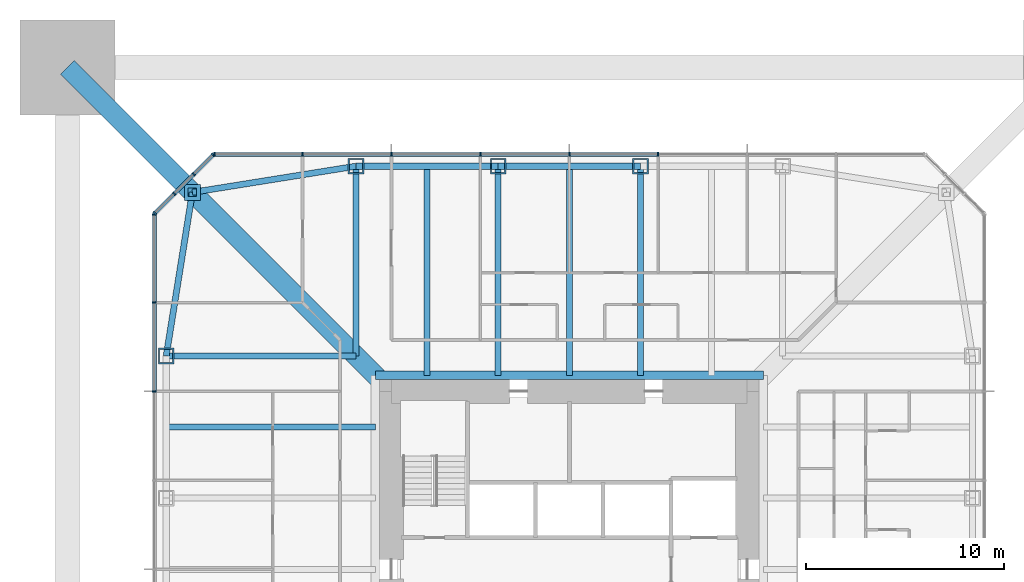
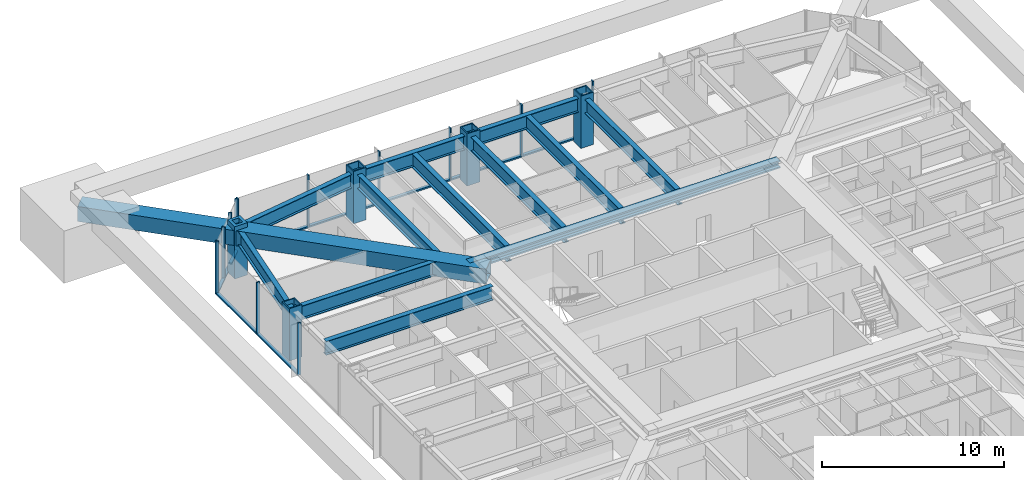
# One storey, part 9 of 20: 30 members, 12 beams, 3 elements without a shape of their own.
"""IFC4 building model written with IfcOpenShell, lengths in metres."""

from ifc_helpers import new_model, si_unit, direction, frame, origin, origin_2d, place, context, subcontext, project, spatial, rectangle, hollow_rectangle, i_section, extrude, material, material_profile, profile_set, type_object, element, aggregate, save


model = new_model("IFC4")

# Units and contexts
model_context = context("Model", 3, precision=1e-05, world=origin(), true_north=direction((0.0, 1.0)))
body_context = subcontext(model_context, "Body", "Model", "MODEL_VIEW")
ifc_project = project(units=[si_unit("LENGTHUNIT", "METRE"), si_unit("AREAUNIT", "SQUARE_METRE"), si_unit("VOLUMEUNIT", "CUBIC_METRE"), si_unit("PLANEANGLEUNIT", "RADIAN"), si_unit("MASSUNIT", "GRAM", prefix="KILO")], contexts=[model_context])

# Site, building, storey
site_placement = place(None, origin())
site = spatial("IfcSite", under=ifc_project, at=site_placement, CompositionType="ELEMENT")
building_placement = place(site_placement, origin())
building = spatial("IfcBuilding", under=site, at=building_placement, Name="Iwan Alto Co-Living Towers", CompositionType="ELEMENT")
storey_placement = place(building_placement, frame((0.0, 0.0, 140.0)))
storey = spatial("IfcBuildingStorey", under=building, at=storey_placement, Name="L38", CompositionType="ELEMENT", Elevation=140.0)

# Curtain wall, members
ifc_material_1 = material(Name="Bronze aluminium unitised frame", Category="aluminium")
curtain_wall_type_1 = type_object("IfcCurtainWallType", Name="CURTAIN WALL CW-A", PredefinedType="NOTDEFINED", material=ifc_material_1)
curtain_wall_1_placement = place(storey_placement, origin())
curtain_wall_1 = element("IfcCurtainWall", 1, at=curtain_wall_1_placement, inside=storey, type_object=curtain_wall_type_1, Name="T1 curtain wall N L38", PredefinedType="NOTDEFINED")
ifc_material_2 = material(Name="Aluminium 6063-T6 bronze anodised", Category="aluminium")
ifc_material_profile_1 = material_profile(ifc_material_2, rectangle(XDim=0.199951171875, YDim=0.080078125, at=origin_2d()), Name="AL 80X200")
ifc_profile_set_1 = profile_set([ifc_material_profile_1], Name="Aluminium 6063-T6 bronze anodised")
member_type_1 = type_object("IfcMemberType", Name="CW-A MULLION 80X200", PredefinedType="MULLION", material=ifc_profile_set_1)
member_1_placement = place(storey_placement, frame((4.5, 21.0, 0.0), z_axis=(0.0, 0.0, 1.0), x_axis=(0.0, -1.0, 0.0)))
member_1 = element("IfcMember", 2, at=member_1_placement, type_object=member_type_1, Name="CW-A mullion 4", PredefinedType="MULLION", context=body_context, shape_type="SweptSolid", body=[
    extrude(rectangle(XDim=0.199951171875, YDim=0.080078125, at=origin_2d()), origin(), (0.0, 0.0, 1.0), 3.5),
])
member_2_placement = place(storey_placement, frame((0.0, 21.0, 0.0), z_axis=(0.0, 0.0, 1.0), x_axis=(0.0, -1.0, 0.0)))
member_2 = element("IfcMember", 3, at=member_2_placement, type_object=member_type_1, Name="CW-A mullion 5", PredefinedType="MULLION", context=body_context, shape_type="SweptSolid", body=[
    extrude(rectangle(XDim=0.199951171875, YDim=0.080078125, at=origin_2d()), origin(), (0.0, 0.0, 1.0), 3.5),
])
member_3_placement = place(storey_placement, frame((-4.5, 21.0, 0.0), z_axis=(0.0, 0.0, 1.0), x_axis=(0.0, -1.0, 0.0)))
member_3 = element("IfcMember", 4, at=member_3_placement, type_object=member_type_1, Name="CW-A mullion 6", PredefinedType="MULLION", context=body_context, shape_type="SweptSolid", body=[
    extrude(rectangle(XDim=0.199951171875, YDim=0.080078125, at=origin_2d()), origin(), (0.0, 0.0, 1.0), 3.5),
])
member_4_placement = place(storey_placement, frame((-9.0, 21.0, 0.0), z_axis=(0.0, 0.0, 1.0), x_axis=(0.0, -1.0, 0.0)))
member_4 = element("IfcMember", 5, at=member_4_placement, type_object=member_type_1, Name="CW-A mullion 7", PredefinedType="MULLION", context=body_context, shape_type="SweptSolid", body=[
    extrude(rectangle(XDim=0.199951171875, YDim=0.080078125, at=origin_2d()), origin(), (0.0, 0.0, 1.0), 3.5),
])
member_5_placement = place(storey_placement, frame((-13.5, 21.0, 0.0), z_axis=(0.0, 0.0, 1.0), x_axis=(0.0, -1.0, 0.0)))
member_5 = element("IfcMember", 6, at=member_5_placement, type_object=member_type_1, Name="CW-A mullion 8", PredefinedType="MULLION", context=body_context, shape_type="SweptSolid", body=[
    extrude(rectangle(XDim=0.199951171875, YDim=0.080078125, at=origin_2d()), origin(), (0.0, 0.0, 1.0), 3.5),
])
member_6_placement = place(storey_placement, frame((-17.9599609375, 21.0, 0.0), z_axis=(0.0, 0.0, 1.0), x_axis=(0.0, -1.0, 0.0)))
member_6 = element("IfcMember", 7, at=member_6_placement, type_object=member_type_1, Name="CW-A mullion 9", PredefinedType="MULLION", context=body_context, shape_type="SweptSolid", body=[
    extrude(rectangle(XDim=0.199951171875, YDim=0.080078125, at=origin_2d()), origin(), (0.0, 0.0, 1.0), 3.5),
])

curtain_wall_2_placement = place(storey_placement, origin())
curtain_wall_2 = element("IfcCurtainWall", 8, at=curtain_wall_2_placement, inside=storey, type_object=curtain_wall_type_1, Name="T1 curtain wall W L38", PredefinedType="NOTDEFINED")
member_7_placement = place(storey_placement, frame((-21.0, 17.9599609375, 0.0), z_axis=(0.0, 0.0, 1.0), x_axis=(1.0, 0.0, 0.0)))
member_7 = element("IfcMember", 9, at=member_7_placement, type_object=member_type_1, Name="CW-A mullion 1", PredefinedType="MULLION", context=body_context, shape_type="SweptSolid", body=[
    extrude(rectangle(XDim=0.199951171875, YDim=0.080078125, at=origin_2d()), origin(), (0.0, 0.0, 1.0), 3.5),
])
member_8_placement = place(storey_placement, frame((-21.0, 13.5, 0.0), z_axis=(0.0, 0.0, 1.0), x_axis=(1.0, 0.0, 0.0)))
member_8 = element("IfcMember", 10, at=member_8_placement, type_object=member_type_1, Name="CW-A mullion 2", PredefinedType="MULLION", context=body_context, shape_type="SweptSolid", body=[
    extrude(rectangle(XDim=0.199951171875, YDim=0.080078125, at=origin_2d()), origin(), (0.0, 0.0, 1.0), 3.5),
])
member_9_placement = place(storey_placement, frame((-21.0, 9.0, 0.0), z_axis=(0.0, 0.0, 1.0), x_axis=(1.0, 0.0, 0.0)))
member_9 = element("IfcMember", 11, at=member_9_placement, type_object=member_type_1, Name="CW-A mullion 3", PredefinedType="MULLION", context=body_context, shape_type="SweptSolid", body=[
    extrude(rectangle(XDim=0.199951171875, YDim=0.080078125, at=origin_2d()), origin(), (0.0, 0.0, 1.0), 3.5),
])

# Member
ifc_material_3 = material(Name="Aluminium 6063-T6 bronze anodised", Category="aluminium")
ifc_material_profile_2 = material_profile(ifc_material_3, rectangle(XDim=0.199951171875, YDim=0.10009765625, at=origin_2d()), Name="AL 200X100")
ifc_profile_set_2 = profile_set([ifc_material_profile_2], Name="Aluminium 6063-T6 bronze anodised")
member_type_2 = type_object("IfcMemberType", Name="CW-A TRANSOM 200X100", PredefinedType="USERDEFINED", material=ifc_profile_set_2)
member_10_placement = place(storey_placement, frame((4.4599609375, 21.0, 0.050048828125), z_axis=(-1.0, 0.0, 0.0), x_axis=(0.0, -1.0, 0.0)))
member_10 = element("IfcMember", 12, at=member_10_placement, type_object=member_type_2, Name="CW-A transom 4.1", ObjectType="TRANSOM", PredefinedType="USERDEFINED", context=body_context, shape_type="SweptSolid", body=[
    extrude(rectangle(XDim=0.199951171875, YDim=0.10009765625, at=origin_2d()), origin(), (0.0, 0.0, 1.0), 4.419921875),
])

member_11_placement = place(storey_placement, frame((-0.0400390625, 21.0, 0.050048828125), z_axis=(-1.0, 0.0, 0.0), x_axis=(0.0, -1.0, 0.0)))
member_11 = element("IfcMember", 13, at=member_11_placement, type_object=member_type_2, Name="CW-A transom 5.1", ObjectType="TRANSOM", PredefinedType="USERDEFINED", context=body_context, shape_type="SweptSolid", body=[
    extrude(rectangle(XDim=0.199951171875, YDim=0.10009765625, at=origin_2d()), origin(), (0.0, 0.0, 1.0), 4.419921875),
])

member_12_placement = place(storey_placement, frame((-4.5400390625, 21.0, 0.050048828125), z_axis=(-1.0, 0.0, 0.0), x_axis=(0.0, -1.0, 0.0)))
member_12 = element("IfcMember", 14, at=member_12_placement, type_object=member_type_2, Name="CW-A transom 6.1", ObjectType="TRANSOM", PredefinedType="USERDEFINED", context=body_context, shape_type="SweptSolid", body=[
    extrude(rectangle(XDim=0.199951171875, YDim=0.10009765625, at=origin_2d()), origin(), (0.0, 0.0, 1.0), 4.419921875),
])

member_13_placement = place(storey_placement, frame((-9.0400390625, 21.0, 0.050048828125), z_axis=(-1.0, 0.0, 0.0), x_axis=(0.0, -1.0, 0.0)))
member_13 = element("IfcMember", 15, at=member_13_placement, type_object=member_type_2, Name="CW-A transom 7.1", ObjectType="TRANSOM", PredefinedType="USERDEFINED", context=body_context, shape_type="SweptSolid", body=[
    extrude(rectangle(XDim=0.199951171875, YDim=0.10009765625, at=origin_2d()), origin(), (0.0, 0.0, 1.0), 4.419921875),
])

member_14_placement = place(storey_placement, frame((-13.5400390625, 21.0, 0.050048828125), z_axis=(-1.0, 0.0, 0.0), x_axis=(0.0, -1.0, 0.0)))
member_14 = element("IfcMember", 16, at=member_14_placement, type_object=member_type_2, Name="CW-A transom 8.1", ObjectType="TRANSOM", PredefinedType="USERDEFINED", context=body_context, shape_type="SweptSolid", body=[
    extrude(rectangle(XDim=0.199951171875, YDim=0.10009765625, at=origin_2d()), origin(), (0.0, 0.0, 1.0), 4.3798828125),
])

aggregate(curtain_wall_1, [member_1, member_2, member_3, member_4, member_5, member_6, member_10, member_11, member_12, member_13, member_14])

member_15_placement = place(storey_placement, frame((-21.0, 17.919921875, 0.050048828125), z_axis=(0.0, -1.0, 0.0), x_axis=(1.0, 0.0, 0.0)))
member_15 = element("IfcMember", 17, at=member_15_placement, type_object=member_type_2, Name="CW-A transom 1.1", ObjectType="TRANSOM", PredefinedType="USERDEFINED", context=body_context, shape_type="SweptSolid", body=[
    extrude(rectangle(XDim=0.199951171875, YDim=0.10009765625, at=origin_2d()), origin(), (0.0, 0.0, 1.0), 4.3798828125),
])

member_16_placement = place(storey_placement, frame((-21.0, 13.4599609375, 0.050048828125), z_axis=(0.0, -1.0, 0.0), x_axis=(1.0, 0.0, 0.0)))
member_16 = element("IfcMember", 18, at=member_16_placement, type_object=member_type_2, Name="CW-A transom 2.1", ObjectType="TRANSOM", PredefinedType="USERDEFINED", context=body_context, shape_type="SweptSolid", body=[
    extrude(rectangle(XDim=0.199951171875, YDim=0.10009765625, at=origin_2d()), origin(), (0.0, 0.0, 1.0), 4.419921875),
])

aggregate(curtain_wall_2, [member_7, member_8, member_9, member_15, member_16])

# Curtain wall, members
ifc_material_4 = material(Name="Bronze aluminium unitised frame", Category="aluminium")
curtain_wall_type_2 = type_object("IfcCurtainWallType", Name="CURTAIN WALL CW-B", PredefinedType="NOTDEFINED", material=ifc_material_4)
curtain_wall_3_placement = place(storey_placement, origin())
curtain_wall_3 = element("IfcCurtainWall", 19, at=curtain_wall_3_placement, inside=storey, type_object=curtain_wall_type_2, Name="T1 chamfer curtain wall NW L38", PredefinedType="NOTDEFINED")
ifc_material_5 = material(Name="Aluminium 6063-T6 bronze anodised", Category="aluminium")
ifc_material_profile_3 = material_profile(ifc_material_5, rectangle(XDim=0.199951171875, YDim=0.080078125, at=origin_2d()), Name="AL 80X200")
ifc_profile_set_3 = profile_set([ifc_material_profile_3], Name="Aluminium 6063-T6 bronze anodised")
member_type_3 = type_object("IfcMemberType", Name="CW-B MULLION 80X200", PredefinedType="MULLION", material=ifc_profile_set_3)
member_17_placement = place(storey_placement, frame((-18.0283203125, 20.9716796875, 0.0), z_axis=(0.0, 0.0, 1.0), x_axis=(0.707106781187, -0.707106781187, 0.0)))
member_17 = element("IfcMember", 20, at=member_17_placement, type_object=member_type_3, Name="CW-B mullion 1", PredefinedType="MULLION", context=body_context, shape_type="SweptSolid", body=[
    extrude(rectangle(XDim=0.199951171875, YDim=0.080078125, at=origin_2d()), origin(), (0.0, 0.0, 1.0), 3.5),
])
member_18_placement = place(storey_placement, frame((-19.0, 20.0, 0.0), z_axis=(0.0, 0.0, 1.0), x_axis=(0.707106781187, -0.707106781187, 0.0)))
member_18 = element("IfcMember", 21, at=member_18_placement, type_object=member_type_3, Name="CW-B mullion 2", PredefinedType="MULLION", context=body_context, shape_type="SweptSolid", body=[
    extrude(rectangle(XDim=0.199951171875, YDim=0.080078125, at=origin_2d()), origin(), (0.0, 0.0, 1.0), 3.5),
])
member_19_placement = place(storey_placement, frame((-20.0, 19.0, 0.0), z_axis=(0.0, 0.0, 1.0), x_axis=(0.707106781187, -0.707106781187, 0.0)))
member_19 = element("IfcMember", 22, at=member_19_placement, type_object=member_type_3, Name="CW-B mullion 3", PredefinedType="MULLION", context=body_context, shape_type="SweptSolid", body=[
    extrude(rectangle(XDim=0.199951171875, YDim=0.080078125, at=origin_2d()), origin(), (0.0, 0.0, 1.0), 3.5),
])
member_20_placement = place(storey_placement, frame((-20.9716796875, 18.0283203125, 0.0), z_axis=(0.0, 0.0, 1.0), x_axis=(0.707106781187, -0.707106781187, 0.0)))
member_20 = element("IfcMember", 23, at=member_20_placement, type_object=member_type_3, Name="CW-B mullion 4", PredefinedType="MULLION", context=body_context, shape_type="SweptSolid", body=[
    extrude(rectangle(XDim=0.199951171875, YDim=0.080078125, at=origin_2d()), origin(), (0.0, 0.0, 1.0), 3.5),
])
ifc_material_6 = material(Name="Aluminium 6063-T6 bronze anodised", Category="aluminium")
ifc_material_profile_4 = material_profile(ifc_material_6, rectangle(XDim=0.199951171875, YDim=0.10009765625, at=origin_2d()), Name="AL 200X100")
ifc_profile_set_4 = profile_set([ifc_material_profile_4], Name="Aluminium 6063-T6 bronze anodised")
member_type_4 = type_object("IfcMemberType", Name="CW-B TRANSOM 200X100", PredefinedType="USERDEFINED", material=ifc_profile_set_4)
member_21_placement = place(storey_placement, frame((-18.056640625, 20.943359375, 0.050048828125), z_axis=(-0.707106781187, -0.707106781187, 0.0), x_axis=(0.707106781187, -0.707106781187, 0.0)))
member_21 = element("IfcMember", 24, at=member_21_placement, type_object=member_type_4, Name="CW-B transom 1.1", ObjectType="TRANSOM", PredefinedType="USERDEFINED", context=body_context, shape_type="SweptSolid", body=[
    extrude(rectangle(XDim=0.199951171875, YDim=0.10009765625, at=origin_2d()), origin(), (0.0, 0.0, 1.0), 1.2939453125),
])
member_22_placement = place(storey_placement, frame((-19.0283203125, 19.9716796875, 0.050048828125), z_axis=(-0.707106781187, -0.707106781187, 0.0), x_axis=(0.707106781187, -0.707106781187, 0.0)))
member_22 = element("IfcMember", 25, at=member_22_placement, type_object=member_type_4, Name="CW-B transom 2.1", ObjectType="TRANSOM", PredefinedType="USERDEFINED", context=body_context, shape_type="SweptSolid", body=[
    extrude(rectangle(XDim=0.199951171875, YDim=0.10009765625, at=origin_2d()), origin(), (0.0, 0.0, 1.0), 1.334228515625),
])
member_23_placement = place(storey_placement, frame((-20.0283203125, 18.9716796875, 0.050048828125), z_axis=(-0.707106781187, -0.707106781187, 0.0), x_axis=(0.707106781187, -0.707106781187, 0.0)))
member_23 = element("IfcMember", 26, at=member_23_placement, type_object=member_type_4, Name="CW-B transom 3.1", ObjectType="TRANSOM", PredefinedType="USERDEFINED", context=body_context, shape_type="SweptSolid", body=[
    extrude(rectangle(XDim=0.199951171875, YDim=0.10009765625, at=origin_2d()), origin(), (0.0, 0.0, 1.0), 1.2939453125),
])
aggregate(curtain_wall_3, [member_17, member_18, member_19, member_20, member_21, member_22, member_23])

# Beams
ifc_material_7 = material(Name="Steel ASTM A992 Gr 50", Category="steel")
ifc_material_profile_5 = material_profile(ifc_material_7, i_section(OverallWidth=0.307373046875, OverallDepth=0.927001953125, WebThickness=0.01953125, FlangeThickness=0.031982421875, at=origin_2d()), Name="W36X194")
ifc_profile_set_5 = profile_set([ifc_material_profile_5], Name="Steel ASTM A992 Gr 50")
beam_type_1 = type_object("IfcBeamType", Name="T1 BELT TRUSS CHORD W36X194", PredefinedType="BEAM", material=ifc_profile_set_5)
beam_1_placement = place(storey_placement, frame((3.60009765625, 20.39990234375, 2.736328125), z_axis=(-1.0, 0.0, 0.0), x_axis=(0.0, -1.0, 0.0)))
element("IfcBeam", 27, at=beam_1_placement, inside=storey, type_object=beam_type_1, Name="T1 edge beam N2 L39", PredefinedType="BEAM", context=body_context, shape_type="SweptSolid", body=[
    extrude(i_section(OverallWidth=0.307373046875, OverallDepth=0.927001953125, WebThickness=0.01953125, FlangeThickness=0.031982421875, at=origin_2d()), origin(), (0.0, 0.0, 1.0), 7.2001953125),
])
beam_2_placement = place(storey_placement, frame((-3.60009765625, 20.39990234375, 2.736328125), z_axis=(-1.0, 0.0, 0.0), x_axis=(0.0, -1.0, 0.0)))
element("IfcBeam", 28, at=beam_2_placement, inside=storey, type_object=beam_type_1, Name="T1 edge beam N3 L39", PredefinedType="BEAM", context=body_context, shape_type="SweptSolid", body=[
    extrude(i_section(OverallWidth=0.307373046875, OverallDepth=0.927001953125, WebThickness=0.01953125, FlangeThickness=0.031982421875, at=origin_2d()), origin(), (0.0, 0.0, 1.0), 7.199951171875),
])
for number, where, z_axis, x_axis, name in (
    (29, (-10.800048828125, 20.39990234375, 2.736328125), (-0.987438450439, -0.158004134737, 0.0), (0.158004134737, -0.987438450439, 0.0), "T1 edge beam N4 L39"),
    (30, (-19.07568359375, 19.07568359375, 2.736328125), (-0.158004134737, -0.987438450439, 0.0), (0.987438450439, -0.158004134737, 0.0), "T1 edge beam CNW L39"),
):
    element("IfcBeam", number, at=place(storey_placement, frame(where, z_axis=z_axis, x_axis=x_axis)), inside=storey, type_object=beam_type_1, Name=name, PredefinedType="BEAM", context=body_context, shape_type="SweptSolid", body=[
        extrude(i_section(OverallWidth=0.307373046875, OverallDepth=0.927001953125, WebThickness=0.01953125, FlangeThickness=0.031982421875, at=origin_2d()), origin(), (0.0, 0.0, 1.0), 8.380859375),
    ])
ifc_material_8 = material(Name="Steel ASTM A992 Gr 50", Category="steel")
ifc_material_profile_6 = material_profile(ifc_material_8, i_section(OverallWidth=0.436767578125, OverallDepth=0.51318359375, WebThickness=0.060546875, FlangeThickness=0.096923828125, at=origin_2d()), Name="W14X550")
ifc_profile_set_6 = profile_set([ifc_material_profile_6], Name="Steel ASTM A992 Gr 50")
beam_type_2 = type_object("IfcBeamType", Name="T1 CORE LEDGER BEAM W14X550", PredefinedType="BEAM", material=ifc_profile_set_6)
beam_3_placement = place(storey_placement, frame((9.818359375, 9.818359375, 2.943359375), z_axis=(-1.0, 0.0, 0.0), x_axis=(0.0, -1.0, 0.0)))
element("IfcBeam", 31, at=beam_3_placement, inside=storey, type_object=beam_type_2, Name="T1 core ledger beam N L39", PredefinedType="BEAM", context=body_context, shape_type="SweptSolid", body=[
    extrude(i_section(OverallWidth=0.436767578125, OverallDepth=0.51318359375, WebThickness=0.060546875, FlangeThickness=0.096923828125, at=origin_2d()), origin(), (0.0, 0.0, 1.0), 19.63671875),
])

# Members
ifc_material_9 = material(Name="Steel ASTM A36", Category="steel")
ifc_material_profile_7 = material_profile(ifc_material_9, hollow_rectangle(XDim=0.800048828125, YDim=0.800048828125, WallThickness=0.179931640625, at=origin_2d()), Name="BOX 800X800X180")
ifc_profile_set_7 = profile_set([ifc_material_profile_7], Name="Steel ASTM A36")
member_type_5 = type_object("IfcMemberType", Name="T1 HEAVY RING POST AT STEP BOX 800X800X180", PredefinedType="MEMBER", material=ifc_profile_set_7)
member_24_placement = place(storey_placement, frame((-19.07568359375, 19.07568359375, 0.0), z_axis=(0.0, 0.0, 1.0), x_axis=(1.0, 0.0, 0.0)))
element("IfcMember", 32, at=member_24_placement, inside=storey, type_object=member_type_5, Name="T1 ring post at step CNW L38", PredefinedType="MEMBER", context=body_context, shape_type="SweptSolid", body=[
    extrude(hollow_rectangle(XDim=0.800048828125, YDim=0.800048828125, WallThickness=0.179931640625, at=origin_2d()), origin(), (0.0, 0.0, 1.0), 3.5),
])
ifc_material_10 = material(Name="Steel ASTM A572 Gr 50", Category="steel")
ifc_material_profile_8 = material_profile(ifc_material_10, hollow_rectangle(XDim=1.0, YDim=1.0, WallThickness=0.070068359375, at=origin_2d()), Name="BOX 1000X1000X70")
ifc_profile_set_8 = profile_set([ifc_material_profile_8], Name="Steel ASTM A572 Gr 50")
member_type_6 = type_object("IfcMemberType", Name="T1 OUTRIGGER CHORD BOX 1000X1000X70", PredefinedType="CHORD", material=ifc_profile_set_8)
member_25_placement = place(storey_placement, frame((-9.0, 9.0, 2.699951171875), z_axis=(-0.707106781187, 0.707106781187, 0.0), x_axis=(-0.707106781187, -0.707106781187, 0.0)))
element("IfcMember", 33, at=member_25_placement, inside=storey, type_object=member_type_6, Name="T1 outrigger NW L39 bottom chord 1", PredefinedType="CHORD", context=body_context, shape_type="SweptSolid", body=[
    extrude(hollow_rectangle(XDim=1.0, YDim=1.0, WallThickness=0.070068359375, at=origin_2d()), origin(), (0.0, 0.0, 1.0), 14.249267578125),
])
member_26_placement = place(storey_placement, frame((-19.07568359375, 19.07568359375, 2.699951171875), z_axis=(-0.707106781187, 0.707106781187, 0.0), x_axis=(-0.707106781187, -0.707106781187, 0.0)))
element("IfcMember", 34, at=member_26_placement, inside=storey, type_object=member_type_6, Name="T1 outrigger NW L39 bottom chord 2", PredefinedType="CHORD", context=body_context, shape_type="SweptSolid", body=[
    extrude(hollow_rectangle(XDim=1.0, YDim=1.0, WallThickness=0.070068359375, at=origin_2d()), origin(), (0.0, 0.0, 1.0), 8.94384765625),
])

# Beams
ifc_material_11 = material(Name="Steel ASTM A992 Gr 50", Category="steel")
ifc_material_profile_9 = material_profile(ifc_material_11, i_section(OverallWidth=0.307373046875, OverallDepth=0.927001953125, WebThickness=0.01953125, FlangeThickness=0.031982421875, at=origin_2d()), Name="W36X194")
ifc_profile_set_9 = profile_set([ifc_material_profile_9], Name="Steel ASTM A992 Gr 50")
beam_type_3 = type_object("IfcBeamType", Name="T1 RADIAL BEAM W36X194", PredefinedType="BEAM", material=ifc_profile_set_9)
for number, where, z_axis, x_axis, name in (
    (35, (3.60009765625, 20.39990234375, 2.736328125), (0.0, -1.0, 0.0), (1.0, 0.0, 0.0), "T1 radial beam N2 L39"),
    (36, (-3.60009765625, 20.39990234375, 2.736328125), (0.0, -1.0, 0.0), (1.0, 0.0, 0.0), "T1 radial beam N3 L39"),
):
    element("IfcBeam", number, at=place(storey_placement, frame(where, z_axis=z_axis, x_axis=x_axis)), inside=storey, type_object=beam_type_3, Name=name, PredefinedType="BEAM", context=body_context, shape_type="SweptSolid", body=[
        extrude(i_section(OverallWidth=0.307373046875, OverallDepth=0.927001953125, WebThickness=0.01953125, FlangeThickness=0.031982421875, at=origin_2d()), origin(), (0.0, 0.0, 1.0), 10.58154296875),
    ])
for number, where, z_axis, x_axis, name in (
    (37, (-10.800048828125, 20.39990234375, 2.736328125), (0.0, -1.0, 0.0), (1.0, 0.0, 0.0), "T1 radial beam N4 L39"),
    (38, (-20.39990234375, 10.800048828125, 2.736328125), (1.0, 0.0, 0.0), (0.0, 1.0, 0.0), "T1 radial beam W1 L39"),
):
    element("IfcBeam", number, at=place(storey_placement, frame(where, z_axis=z_axis, x_axis=x_axis)), inside=storey, type_object=beam_type_3, Name=name, PredefinedType="BEAM", context=body_context, shape_type="SweptSolid", body=[
        extrude(i_section(OverallWidth=0.307373046875, OverallDepth=0.927001953125, WebThickness=0.01953125, FlangeThickness=0.031982421875, at=origin_2d()), origin(), (0.0, 0.0, 1.0), 9.599853515625),
    ])

# Members
ifc_material_12 = material(Name="Steel ASTM A572 Gr 50", Category="steel")
ifc_material_profile_10 = material_profile(ifc_material_12, hollow_rectangle(XDim=0.800048828125, YDim=0.800048828125, WallThickness=0.070068359375, at=origin_2d()), Name="BOX 800X800X70")
ifc_profile_set_10 = profile_set([ifc_material_profile_10], Name="Steel ASTM A572 Gr 50")
member_type_7 = type_object("IfcMemberType", Name="T1 RING POST AT STEP BOX 800X800X70", PredefinedType="MEMBER", material=ifc_profile_set_10)
for number, where, z_axis, x_axis, name in (
    (39, (3.60009765625, 20.39990234375, 0.0), (0.0, 0.0, 1.0), (1.0, 0.0, 0.0), "T1 ring post at step N2 L38"),
    (40, (-3.60009765625, 20.39990234375, 0.0), (0.0, 0.0, 1.0), (1.0, 0.0, 0.0), "T1 ring post at step N3 L38"),
    (41, (-10.800048828125, 20.39990234375, 0.0), (0.0, 0.0, 1.0), (1.0, 0.0, 0.0), "T1 ring post at step N4 L38"),
    (42, (-20.39990234375, 10.800048828125, 0.0), (0.0, 0.0, 1.0), (1.0, 0.0, 0.0), "T1 ring post at step W1 L38"),
):
    element("IfcMember", number, at=place(storey_placement, frame(where, z_axis=z_axis, x_axis=x_axis)), inside=storey, type_object=member_type_7, Name=name, PredefinedType="MEMBER", context=body_context, shape_type="SweptSolid", body=[
        extrude(hollow_rectangle(XDim=0.800048828125, YDim=0.800048828125, WallThickness=0.070068359375, at=origin_2d()), origin(), (0.0, 0.0, 1.0), 3.5),
    ])

# Beams
ifc_material_13 = material(Name="Steel ASTM A992 Gr 50", Category="steel")
ifc_material_profile_11 = material_profile(ifc_material_13, i_section(OverallWidth=0.307373046875, OverallDepth=0.927001953125, WebThickness=0.01953125, FlangeThickness=0.031982421875, at=origin_2d()), Name="W36X194")
ifc_profile_set_11 = profile_set([ifc_material_profile_11], Name="Steel ASTM A992 Gr 50")
beam_type_4 = type_object("IfcBeamType", Name="T1 SECONDARY BEAM W36X194", PredefinedType="JOIST", material=ifc_profile_set_11)
for number, where, z_axis, x_axis, name in (
    (43, (0.0, 20.39990234375, 2.736328125), (0.0, -1.0, 0.0), (1.0, 0.0, 0.0), "T1 secondary beam N2 L39"),
    (44, (-7.199951171875, 20.39990234375, 2.736328125), (0.0, -1.0, 0.0), (1.0, 0.0, 0.0), "T1 secondary beam N3 L39"),
    (45, (-20.39990234375, 7.199951171875, 2.736328125), (1.0, 0.0, 0.0), (0.0, 1.0, 0.0), "T1 secondary beam W1 L39"),
):
    element("IfcBeam", number, at=place(storey_placement, frame(where, z_axis=z_axis, x_axis=x_axis)), inside=storey, type_object=beam_type_4, Name=name, PredefinedType="JOIST", context=body_context, shape_type="SweptSolid", body=[
        extrude(i_section(OverallWidth=0.307373046875, OverallDepth=0.927001953125, WebThickness=0.01953125, FlangeThickness=0.031982421875, at=origin_2d()), origin(), (0.0, 0.0, 1.0), 10.58154296875),
    ])

save(model, "model.ifc")
